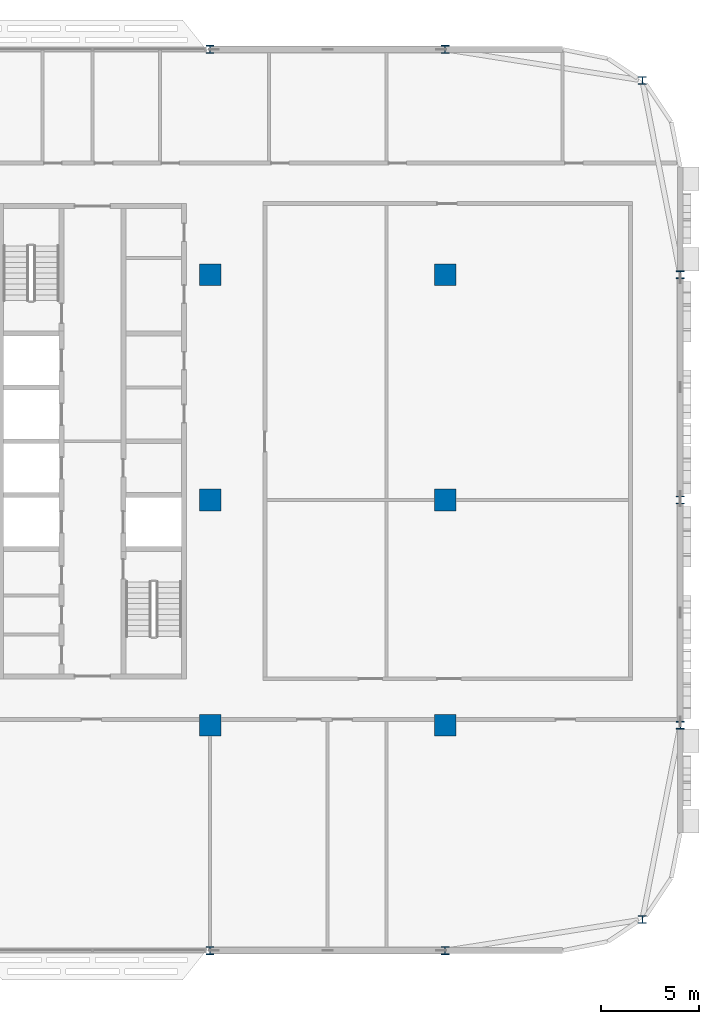
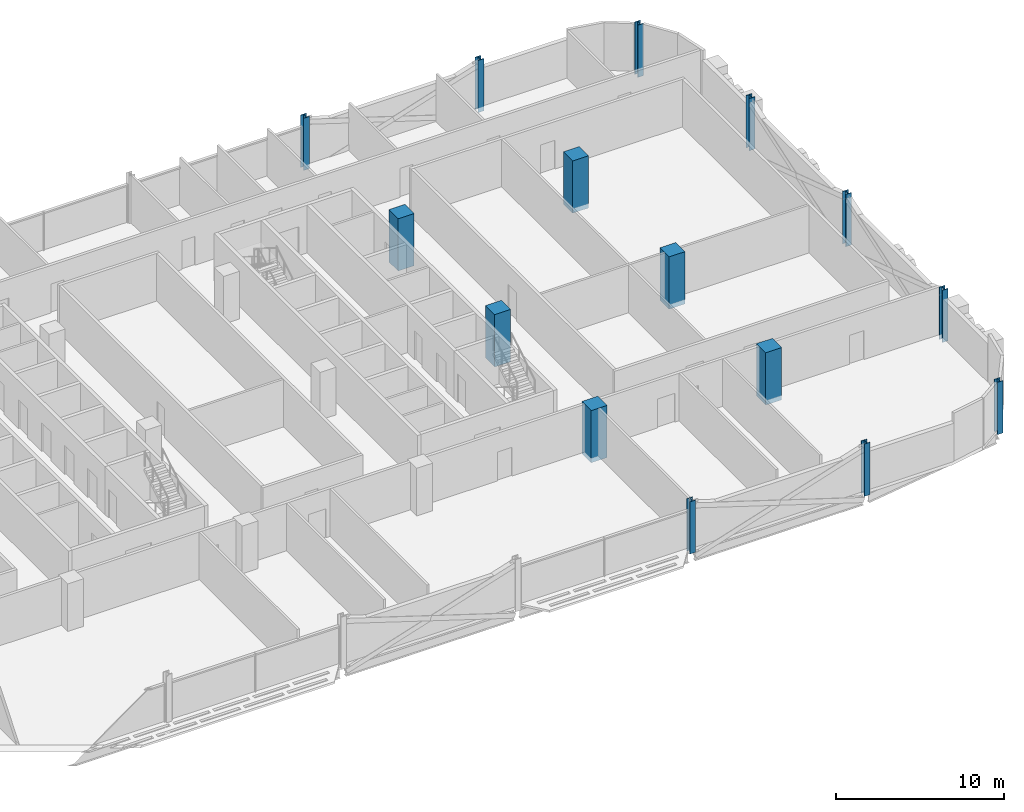
# One storey, part 3 of 30: 15 columns.
"""IFC4 building model written with IfcOpenShell, lengths in metres."""

from ifc_helpers import new_model, si_unit, direction, frame, origin, origin_2d, place, context, subcontext, project, spatial, rectangle, i_section, extrude, material, material_profile, profile_set, type_object, element, save


model = new_model("IFC4")

# Units and contexts
model_context = context("Model", 3, precision=1e-05, world=origin(), true_north=direction((0.0, 1.0)))
body_context = subcontext(model_context, "Body", "Model", "MODEL_VIEW")
ifc_project = project(units=[si_unit("LENGTHUNIT", "METRE"), si_unit("AREAUNIT", "SQUARE_METRE"), si_unit("VOLUMEUNIT", "CUBIC_METRE"), si_unit("PLANEANGLEUNIT", "RADIAN"), si_unit("MASSUNIT", "GRAM", prefix="KILO")], contexts=[model_context])

# Site, building, storey
site_placement = place(None, origin())
site = spatial("IfcSite", under=ifc_project, at=site_placement, CompositionType="ELEMENT")
building_placement = place(site_placement, origin())
building = spatial("IfcBuilding", under=site, at=building_placement, Name="Mahtab Terrace Research Tower", CompositionType="ELEMENT")
storey_placement = place(building_placement, frame((0.0, 0.0, 216.699951171875)))
storey = spatial("IfcBuildingStorey", under=building, at=storey_placement, Name="L52", CompositionType="ELEMENT", Elevation=216.699951171875)

# Columns
ifc_material_1 = material(Name="Concrete C70/85", Category="concrete")
ifc_material_profile_1 = material_profile(ifc_material_1, rectangle(XDim=1.10009765625, YDim=1.10009765625, at=origin_2d()), Name="RC column 1100x1100")
ifc_profile_set_1 = profile_set([ifc_material_profile_1], Name="Concrete C70/85")
column_type_1 = type_object("IfcColumnType", Name="RC column 1100x1100", PredefinedType="COLUMN", material=ifc_profile_set_1)
for number, where, z_axis, x_axis, name in (
    (1, (30.0, -11.5, -0.33984375), (0.0, 0.0, 1.0), (1.0, 0.0, 0.0), "Column RC-7A L52"),
    (2, (30.0, 0.0, -0.33984375), (0.0, 0.0, 1.0), (1.0, 0.0, 0.0), "Column RC-7B L52"),
    (3, (30.0, 11.5, -0.33984375), (0.0, 0.0, 1.0), (1.0, 0.0, 0.0), "Column RC-7C L52"),
    (4, (42.0, -11.5, -0.33984375), (0.0, 0.0, 1.0), (1.0, 0.0, 0.0), "Column RC-8A L52"),
    (5, (42.0, 0.0, -0.33984375), (0.0, 0.0, 1.0), (1.0, 0.0, 0.0), "Column RC-8B L52"),
    (6, (42.0, 11.5, -0.33984375), (0.0, 0.0, 1.0), (1.0, 0.0, 0.0), "Column RC-8C L52"),
):
    element("IfcColumn", number, at=place(storey_placement, frame(where, z_axis=z_axis, x_axis=x_axis)), inside=storey, type_object=column_type_1, Name=name, PredefinedType="COLUMN", context=body_context, shape_type="SweptSolid", body=[
        extrude(rectangle(XDim=1.10009765625, YDim=1.10009765625, at=origin_2d()), origin(), (0.0, 0.0, 1.0), 3.7998046875),
    ])
ifc_material_2 = material(Name="Steel ASTM A992 Gr 50", Category="steel")
ifc_material_profile_2 = material_profile(ifc_material_2, i_section(OverallWidth=0.4013671875, OverallDepth=0.398681640625, WebThickness=0.02490234375, FlangeThickness=0.03955078125, at=origin_2d()), Name="W14X211")
ifc_profile_set_2 = profile_set([ifc_material_profile_2], Name="Steel ASTM A992 Gr 50")
column_type_2 = type_object("IfcColumnType", Name="W14x211 column CS14211", PredefinedType="COLUMN", material=ifc_profile_set_2)
for number, where, z_axis, x_axis, name in (
    (7, (52.06201171875, 21.416015625, -0.33984375), (0.0, 0.0, 1.0), (1.0, 0.0, 0.0), "Column SC-023 L52"),
    (8, (42.0, 23.0, -0.33984375), (0.0, 0.0, 1.0), (1.0, 0.0, 0.0), "Column SC-001 L52"),
    (9, (30.0, 23.0, -0.33984375), (0.0, 0.0, 1.0), (1.0, 0.0, 0.0), "Column SC-002 L52"),
    (10, (30.0, -23.0, -0.33984375), (0.0, 0.0, 1.0), (1.0, 0.0, 0.0), "Column SC-018 L52"),
    (11, (42.0, -23.0, -0.33984375), (0.0, 0.0, 1.0), (1.0, 0.0, 0.0), "Column SC-019 L52"),
    (12, (52.06201171875, -21.416015625, -0.33984375), (0.0, 0.0, 1.0), (1.0, 0.0, 0.0), "Column SC-026 L52"),
    (13, (54.0, -11.5, -0.33984375), (0.0, 0.0, 1.0), (1.0, 0.0, 0.0), "Column SC-027 L52"),
    (14, (54.0, 0.0, -0.33984375), (0.0, 0.0, 1.0), (1.0, 0.0, 0.0), "Column SC-028 L52"),
    (15, (54.0, 11.5, -0.33984375), (0.0, 0.0, 1.0), (1.0, 0.0, 0.0), "Column SC-029 L52"),
):
    element("IfcColumn", number, at=place(storey_placement, frame(where, z_axis=z_axis, x_axis=x_axis)), inside=storey, type_object=column_type_2, Name=name, PredefinedType="COLUMN", context=body_context, shape_type="SweptSolid", body=[
        extrude(i_section(OverallWidth=0.4013671875, OverallDepth=0.398681640625, WebThickness=0.02490234375, FlangeThickness=0.03955078125, at=origin_2d()), origin(), (0.0, 0.0, 1.0), 3.7998046875),
    ])

save(model, "model.ifc")
